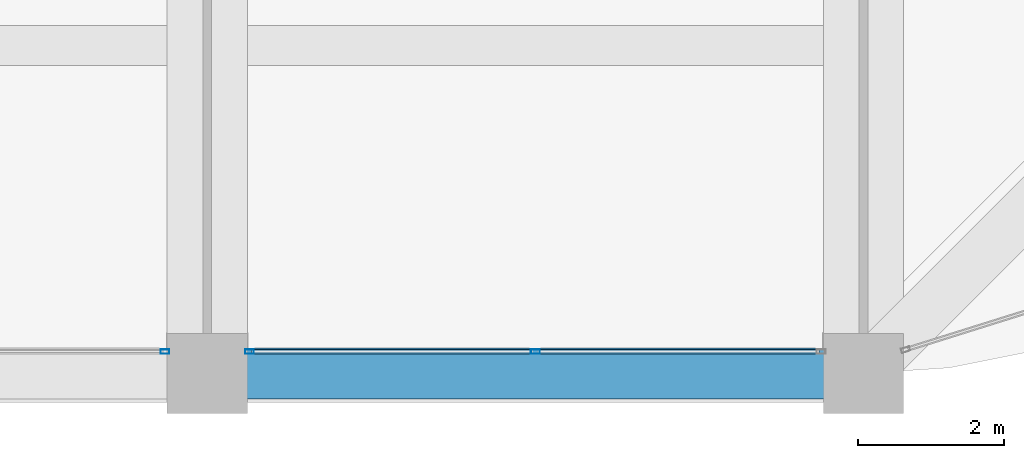
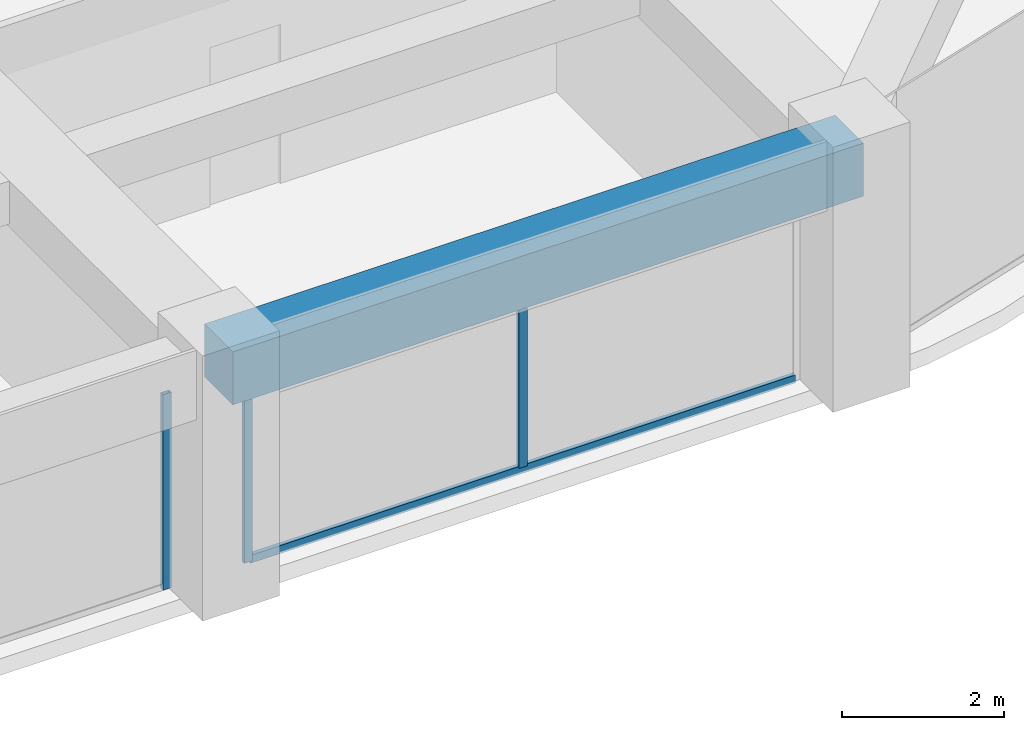
# One storey, part 11 of 44: 4 members, 1 beam, 2 elements without a shape of their own.
"""IFC4 building model written with IfcOpenShell, lengths in metres."""

from ifc_helpers import new_model, si_unit, direction, frame, origin, origin_2d, place, context, subcontext, project, spatial, rectangle, hollow_rectangle, extrude, material, material_profile, profile_set, type_object, element, aggregate, save


model = new_model("IFC4")

# Units and contexts
model_context = context("Model", 3, precision=1e-05, world=origin(), true_north=direction((0.0, 1.0)))
body_context = subcontext(model_context, "Body", "Model", "MODEL_VIEW")
ifc_project = project(units=[si_unit("LENGTHUNIT", "METRE"), si_unit("AREAUNIT", "SQUARE_METRE"), si_unit("VOLUMEUNIT", "CUBIC_METRE"), si_unit("PLANEANGLEUNIT", "RADIAN"), si_unit("MASSUNIT", "GRAM", prefix="KILO")], contexts=[model_context])

# Site, building, storey
site_placement = place(None, origin())
site = spatial("IfcSite", under=ifc_project, at=site_placement, CompositionType="ELEMENT")
building_placement = place(site_placement, origin())
building = spatial("IfcBuilding", under=site, at=building_placement, Name="Zorevar Civic Tower", CompositionType="ELEMENT")
storey_placement = place(building_placement, frame((0.0, 0.0, 271.39990234375)))
storey = spatial("IfcBuildingStorey", under=building, at=storey_placement, Name="L66", CompositionType="ELEMENT", Elevation=271.39990234375)

# Curtain wall, member
ifc_material_1 = material(Name="Dark grey solar-control glass in black aluminium frame", Category="aluminium")
curtain_wall_type = type_object("IfcCurtainWallType", Name="Curtain wall CW5 top zone", PredefinedType="NOTDEFINED", material=ifc_material_1)
curtain_wall_1_placement = place(storey_placement, origin())
curtain_wall_1 = element("IfcCurtainWall", 1, at=curtain_wall_1_placement, inside=storey, type_object=curtain_wall_type, Name="CW5 L66", PredefinedType="NOTDEFINED")
ifc_material_2 = material(Name="Aluminium, black anodised", Category="aluminium")
ifc_material_profile_1 = material_profile(ifc_material_2, hollow_rectangle(XDim=0.06005859375, YDim=0.1201171875, WallThickness=0.0029296875, at=origin_2d()), Name="AL 120x60x3")
ifc_profile_set_1 = profile_set([ifc_material_profile_1], Name="Aluminium, black anodised")
member_type_1 = type_object("IfcMemberType", Name="CW5 mullion AL 120x60x3", PredefinedType="MULLION", material=ifc_profile_set_1)
member_1_placement = place(storey_placement, frame((35.419921875, 0.300048828125, 0.0), z_axis=(0.0, 0.0, 1.0), x_axis=(0.0, 1.0, 0.0)))
member_1 = element("IfcMember", 2, at=member_1_placement, type_object=member_type_1, Name="CW5 mullion 3", PredefinedType="MULLION", context=body_context, shape_type="SweptSolid", body=[
    extrude(hollow_rectangle(XDim=0.06005859375, YDim=0.1201171875, WallThickness=0.0029296875, at=origin_2d()), origin(), (0.0, 0.0, 1.0), 2.9501953125),
])
aggregate(curtain_wall_1, [member_1])

# Curtain wall, members
curtain_wall_2_placement = place(storey_placement, origin())
curtain_wall_2 = element("IfcCurtainWall", 3, at=curtain_wall_2_placement, inside=storey, type_object=curtain_wall_type, Name="CW5 L66", PredefinedType="NOTDEFINED")
member_2_placement = place(storey_placement, frame((36.580078125, 0.300048828125, 0.0), z_axis=(0.0, 0.0, 1.0), x_axis=(0.0, 1.0, 0.0)))
member_2 = element("IfcMember", 4, at=member_2_placement, type_object=member_type_1, Name="CW5 mullion 1", PredefinedType="MULLION", context=body_context, shape_type="SweptSolid", body=[
    extrude(hollow_rectangle(XDim=0.06005859375, YDim=0.1201171875, WallThickness=0.0029296875, at=origin_2d()), origin(), (0.0, 0.0, 1.0), 2.9501953125),
])
member_3_placement = place(storey_placement, frame((40.5, 0.300048828125, 0.06005859375), z_axis=(0.0, 0.0, 1.0), x_axis=(0.0, 1.0, 0.0)))
member_3 = element("IfcMember", 5, at=member_3_placement, type_object=member_type_1, Name="CW5 mullion 2", PredefinedType="MULLION", context=body_context, shape_type="SweptSolid", body=[
    extrude(hollow_rectangle(XDim=0.06005859375, YDim=0.1201171875, WallThickness=0.0029296875, at=origin_2d()), origin(), (0.0, 0.0, 1.0), 2.89013671875),
])
ifc_material_3 = material(Name="Aluminium, black anodised", Category="aluminium")
ifc_material_profile_2 = material_profile(ifc_material_3, hollow_rectangle(XDim=0.06005859375, YDim=0.1201171875, WallThickness=0.0029296875, at=origin_2d()), Name="AL 120x60x3")
ifc_profile_set_2 = profile_set([ifc_material_profile_2], Name="Aluminium, black anodised")
member_type_2 = type_object("IfcMemberType", Name="CW5 transom AL 120x60x3", PredefinedType="USERDEFINED", material=ifc_profile_set_2)
member_4_placement = place(storey_placement, frame((36.610107421875, 0.300048828125, 0.030029296875), z_axis=(1.0, 0.0, 0.0), x_axis=(0.0, 1.0, 0.0)))
member_4 = element("IfcMember", 6, at=member_4_placement, type_object=member_type_2, Name="CW5 sill transom", ObjectType="TRANSOM", PredefinedType="USERDEFINED", context=body_context, shape_type="SweptSolid", body=[
    extrude(hollow_rectangle(XDim=0.06005859375, YDim=0.1201171875, WallThickness=0.0029296875, at=origin_2d()), origin(), (0.0, 0.0, 1.0), 7.77978515625),
])
aggregate(curtain_wall_2, [member_2, member_3, member_4])

# Beam
ifc_material_4 = material(Name="Concrete C50/60", Category="concrete")
ifc_material_profile_3 = material_profile(ifc_material_4, rectangle(XDim=0.699951171875, YDim=0.800048828125, at=origin_2d()), Name="RC 700x800")
ifc_profile_set_3 = profile_set([ifc_material_profile_3], Name="Concrete C50/60")
beam_type = type_object("IfcBeamType", Name="Edge beam RC 700x800", PredefinedType="SPANDREL", material=ifc_profile_set_3)
beam_placement = place(storey_placement, frame((36.0, 0.0, 3.35009765625), z_axis=(1.0, 0.0, 0.0), x_axis=(0.0, 1.0, 0.0)))
element("IfcBeam", 7, at=beam_placement, inside=storey, type_object=beam_type, Name="Edge beam L67", PredefinedType="SPANDREL", context=body_context, shape_type="SweptSolid", body=[
    extrude(rectangle(XDim=0.699951171875, YDim=0.800048828125, at=origin_2d()), origin(), (0.0, 0.0, 1.0), 9.0),
])

save(model, "model.ifc")
